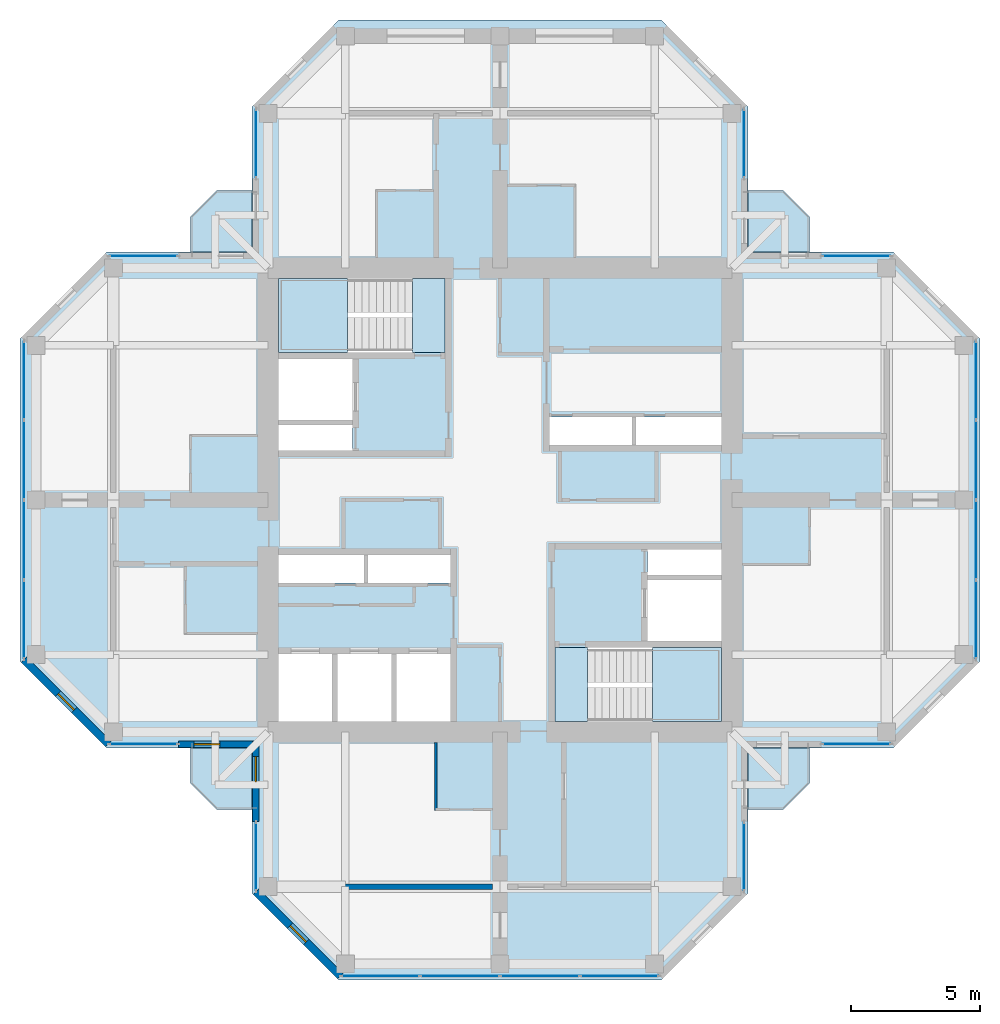
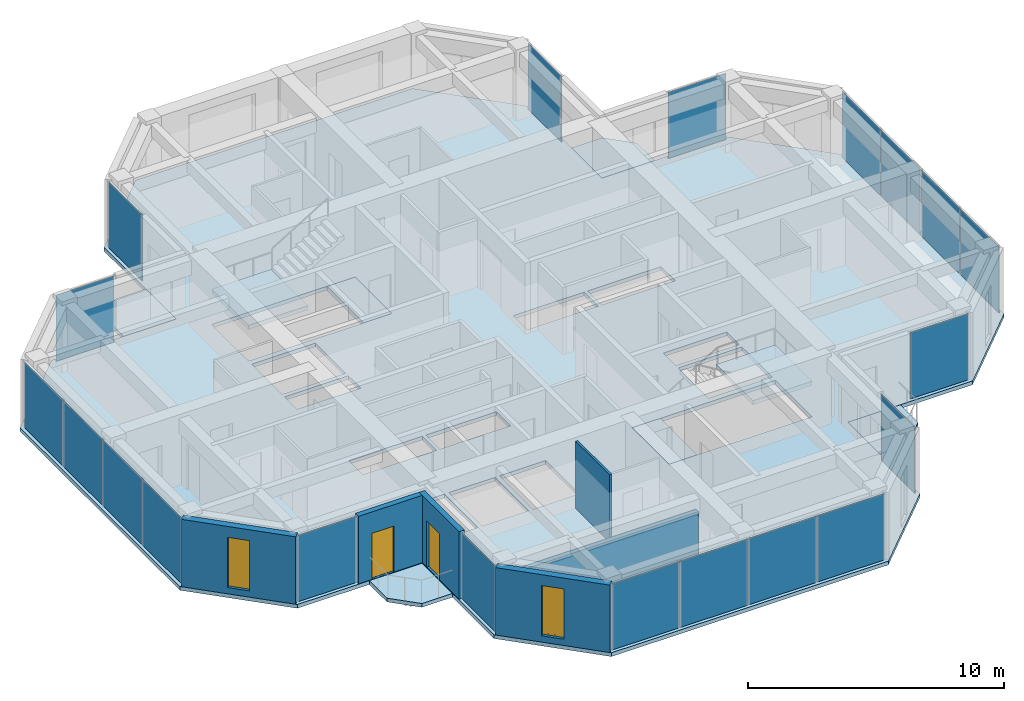
# One storey, part 7 of 13: 20 plates, 9 slabs, 6 walls, 2 doors, 2 windows, 4 openings, 13 elements without a shape of their own.
"""IFC4 building model written with IfcOpenShell, lengths in metres."""

import ifcopenshell
import ifcopenshell.guid

model = None  # the IFC model being written
_history = None  # IfcOwnerHistory: only IFC2X3 demands one
_inside = {}  # id of a spatial element -> (the spatial element, [elements in it])
_under = {}  # id of a project, library or spatial element -> (it, [spatial elements below it])
_declared = {}  # id of a project -> (the project, [libraries it declares])
_typed = {}  # id of a type object -> (the type object, [elements of that type])
_made_of = {}  # id of a material, layer set ... -> (it, [elements and type objects made of it])


def new_model(schema):
    """Start an empty IFC model of exactly this schema.

    Asked for "IFC4X3", IfcOpenShell would pick the latest addendum, in which some entities
    have other attributes; the version numbers below select the first issue.
    IFC2X3 requires an IfcOwnerHistory on every rooted entity: one is made here for all.
    """
    global model, _history
    if schema == "IFC4X3":
        model = ifcopenshell.file(schema_version=(4, 3, 0, 0))
    else:
        model = ifcopenshell.file(schema=schema)
    _inside.clear()
    _under.clear()
    _declared.clear()
    _typed.clear()
    _made_of.clear()
    _history = None
    if model.schema == "IFC2X3":
        org = make("IfcOrganization", Name="unknown")
        user = make(
            "IfcPersonAndOrganization",
            ThePerson=make("IfcPerson", FamilyName="unknown"),
            TheOrganization=org,
        )
        app = make(
            "IfcApplication",
            ApplicationDeveloper=org,
            Version="unknown",
            ApplicationFullName="unknown",
            ApplicationIdentifier="unknown",
        )
        _history = make(
            "IfcOwnerHistory",
            OwningUser=user,
            OwningApplication=app,
            ChangeAction="ADDED",
            CreationDate=0,
        )
    return model


def make(cls, **values):
    """One entity of the class cls with the attributes given. An attribute that is None is left unset."""
    return model.create_entity(
        cls, **{name: value for name, value in values.items() if value is not None}
    )


def rooted(cls, **values):
    """An entity with a GlobalId (a new one), such as an element, a storey or a relation."""
    return make(cls, GlobalId=ifcopenshell.guid.new(), OwnerHistory=_history, **values)


def si_unit(unit_type, name, prefix=None):
    """IfcSIUnit, for example si_unit("LENGTHUNIT", "METRE", prefix="MILLI")."""
    return make("IfcSIUnit", UnitType=unit_type, Prefix=prefix, Name=name)


def assignment(units):
    """IfcUnitAssignment: the units of a project."""
    return None if units is None else make("IfcUnitAssignment", Units=units)


def point(xyz):
    """IfcCartesianPoint."""
    return None if xyz is None else make("IfcCartesianPoint", Coordinates=xyz)


def direction(xyz):
    """IfcDirection."""
    return None if xyz is None else make("IfcDirection", DirectionRatios=xyz)


def frame(location, z_axis=None, x_axis=None):
    """IfcAxis2Placement3D, a coordinate frame: its origin and axes. An axis left out is left unset."""
    return make(
        "IfcAxis2Placement3D",
        Location=point(location),
        Axis=direction(z_axis),
        RefDirection=direction(x_axis),
    )


def frame_2d(location, x_axis=None):
    """IfcAxis2Placement2D, a coordinate frame in the plane: its origin and x axis."""
    return make(
        "IfcAxis2Placement2D", Location=point(location), RefDirection=direction(x_axis)
    )


def origin():
    """The frame at (0, 0, 0) with its axes left unset."""
    return frame((0.0, 0.0, 0.0))


def origin_2d():
    """The frame at (0, 0) in the plane with its x axis left unset."""
    return frame_2d((0.0, 0.0))


def place(relative_to, where):
    """IfcLocalPlacement: puts the frame where relative to a parent placement (None: the world)."""
    return make(
        "IfcLocalPlacement", PlacementRelTo=relative_to, RelativePlacement=where
    )


def context(
    kind, dimensions, precision=None, world=None, true_north=None, identifier=None
):
    """IfcGeometricRepresentationContext, for example the 3D "Model" context."""
    return make(
        "IfcGeometricRepresentationContext",
        ContextIdentifier=identifier,
        ContextType=kind,
        CoordinateSpaceDimension=dimensions,
        Precision=precision,
        WorldCoordinateSystem=world,
        TrueNorth=true_north,
    )


def subcontext(parent, identifier, kind, view, scale=None):
    """IfcGeometricRepresentationSubContext, for example "Body" below "Model"."""
    return make(
        "IfcGeometricRepresentationSubContext",
        ContextIdentifier=identifier,
        ContextType=kind,
        ParentContext=parent,
        TargetScale=scale,
        TargetView=view,
    )


def project(units=None, contexts=None):
    """IfcProject with its units and contexts."""
    return rooted(
        "IfcProject",
        Name="project",
        RepresentationContexts=contexts,
        UnitsInContext=assignment(units),
    )


def spatial(cls, under=None, at=None, **own):
    """A site, building, storey or space (cls), placed at a placement, below another one or the project."""
    s = rooted(cls, ObjectPlacement=at, **own)
    if under is not None:
        _under.setdefault(under.id(), (under, []))[1].append(s)
    return s


def polyline(points):
    """IfcPolyline through the points."""
    return make("IfcPolyline", Points=[point(p) for p in points])


def profile(cls, at=None, kind="AREA", **sizes):
    """A parametric profile (cls). Its sizes go by their IFC names, for example OverallWidth=200.0."""
    return make(cls, ProfileType=kind, Position=at, **sizes)


def rectangle(**sizes):
    """IfcRectangleProfileDef."""
    return profile("IfcRectangleProfileDef", **sizes)


def hollow_rectangle(**sizes):
    """IfcRectangleHollowProfileDef."""
    return profile("IfcRectangleHollowProfileDef", **sizes)


def outline(outer, holes=None, kind="AREA"):
    """IfcArbitraryClosedProfileDef: a profile drawn as a closed curve; with holes, ...WithVoids."""
    if holes is None:
        return make("IfcArbitraryClosedProfileDef", ProfileType=kind, OuterCurve=outer)
    return make(
        "IfcArbitraryProfileDefWithVoids",
        ProfileType=kind,
        OuterCurve=outer,
        InnerCurves=holes,
    )


def extrude(swept, where, along, depth):
    """IfcExtrudedAreaSolid: the profile swept, set in the frame where, extruded along a direction by depth."""
    return make(
        "IfcExtrudedAreaSolid",
        SweptArea=swept,
        Position=where,
        ExtrudedDirection=direction(along),
        Depth=depth,
    )


def shape(context_of_items, identifier, shape_type, items):
    """IfcShapeRepresentation: the items that make up one representation, for example the "Body"."""
    return make(
        "IfcShapeRepresentation",
        ContextOfItems=context_of_items,
        RepresentationIdentifier=identifier,
        RepresentationType=shape_type,
        Items=items,
    )


def material(Name=None, Category=None):
    """IfcMaterial."""
    return make("IfcMaterial", Name=Name, Category=Category)


def layer(
    of_material, thickness, ventilated=None, Name=None, Category=None, Priority=None
):
    """IfcMaterialLayer: one layer of a wall or slab, of a material (None: an air gap)."""
    return make(
        "IfcMaterialLayer",
        Material=of_material,
        LayerThickness=thickness,
        IsVentilated=ventilated,
        Name=Name,
        Category=Category,
        Priority=Priority,
    )


def layer_set(layers, Name=None):
    """IfcMaterialLayerSet."""
    return make("IfcMaterialLayerSet", MaterialLayers=layers, LayerSetName=Name)


def constituent(of_material, Name=None, Category=None, fraction=None):
    """IfcMaterialConstituent: one of the materials an element consists of."""
    return make(
        "IfcMaterialConstituent",
        Name=Name,
        Material=of_material,
        Fraction=fraction,
        Category=Category,
    )


def constituent_set(constituents=None, Name=None):
    """IfcMaterialConstituentSet."""
    return make(
        "IfcMaterialConstituentSet", Name=Name, MaterialConstituents=constituents
    )


def made_of(thing, what):
    """Note that an element or type object is made of a material, layer set ...; save() writes the relation."""
    if what is not None:
        _made_of.setdefault(what.id(), (what, []))[1].append(thing)
    return thing


def type_object(cls, material=None, **own):
    """A type object (cls), such as IfcWallType, which elements share."""
    return made_of(rooted(cls, **own), material)


def element(
    cls,
    number,
    at=None,
    inside=None,
    cuts=None,
    type_object=None,
    material=None,
    context=None,
    identifier="Body",
    shape_type=None,
    held_by="IfcProductDefinitionShape",
    body=None,
    shapes=None,
    **own,
):
    """One element of the class cls, such as IfcWall. Its Tag is "e" and its number.

    at: its placement. inside: the storey or other place that contains it. cuts: it is an
    opening in that element (IfcRelVoidsElement). A single representation is given by context,
    identifier, shape_type and body (its items); several are given by shapes. held_by: the class
    of the entity that holds the representations. save() writes the other relations.
    """
    e = rooted(cls, Tag="e%d" % number, ObjectPlacement=at, **own)
    if body is not None:
        shapes = [shape(context, identifier, shape_type, body)]
    if shapes is not None:
        e.Representation = make(held_by, Representations=shapes)
    if inside is not None:
        _inside.setdefault(inside.id(), (inside, []))[1].append(e)
    if cuts is not None:
        rooted(
            "IfcRelVoidsElement", RelatingBuildingElement=cuts, RelatedOpeningElement=e
        )
    if type_object is not None:
        _typed.setdefault(type_object.id(), (type_object, []))[1].append(e)
    return made_of(e, material)


def fill(opening, filler):
    """IfcRelFillsElement: the door or window that sits in an opening."""
    return rooted(
        "IfcRelFillsElement",
        RelatingOpeningElement=opening,
        RelatedBuildingElement=filler,
    )


def aggregate(whole, parts):
    """IfcRelAggregates: a whole, such as a stair, and the parts it consists of."""
    return rooted("IfcRelAggregates", RelatingObject=whole, RelatedObjects=parts)


def save(model, path):
    """Write the relations noted so far, then the file.

    IfcRelAggregates (storeys below a building ...), IfcRelContainedInSpatialStructure (elements
    in a storey), IfcRelDefinesByType, IfcRelAssociatesMaterial and IfcRelDeclares: one each for
    every whole, place, type object, material and project.
    """
    for whole, parts in _under.values():
        aggregate(whole, parts)
    for where, things in _inside.values():
        rooted(
            "IfcRelContainedInSpatialStructure",
            RelatedElements=things,
            RelatingStructure=where,
        )
    for kind, things in _typed.values():
        rooted("IfcRelDefinesByType", RelatedObjects=things, RelatingType=kind)
    for what, things in _made_of.values():
        rooted("IfcRelAssociatesMaterial", RelatedObjects=things, RelatingMaterial=what)
    for by, libraries in _declared.values():
        rooted("IfcRelDeclares", RelatingContext=by, RelatedDefinitions=libraries)
    model.write(path)


model = new_model("IFC4")

# Units and contexts
model_context = context("Model", 3, precision=1e-05, world=origin(), true_north=direction((0.0, 1.0)))
body_context = subcontext(model_context, "Body", "Model", "MODEL_VIEW")
ifc_project = project(units=[si_unit("LENGTHUNIT", "METRE"), si_unit("AREAUNIT", "SQUARE_METRE"), si_unit("VOLUMEUNIT", "CUBIC_METRE"), si_unit("PLANEANGLEUNIT", "RADIAN"), si_unit("MASSUNIT", "GRAM", prefix="KILO")], contexts=[model_context])

# Site, building, storey
site_placement = place(None, origin())
site = spatial("IfcSite", under=ifc_project, at=site_placement, CompositionType="ELEMENT")
building_placement = place(site_placement, origin())
building = spatial("IfcBuilding", under=site, at=building_placement, Name="Torre Cruceta", CompositionType="ELEMENT")
storey_placement = place(building_placement, frame((0.0, 0.0, 267.89990234375)))
storey = spatial("IfcBuildingStorey", under=building, at=storey_placement, Name="L69", CompositionType="ELEMENT", Elevation=267.89990234375)

# Slabs
ifc_material_1 = material(Name="Concrete G35 (fck 35 MPa)", Category="concrete")
ifc_layer_1 = layer(ifc_material_1, 0.179931640625)
ifc_layer_set_1 = layer_set([ifc_layer_1], Name="Concrete G35 (fck 35 MPa)")
slab_type_1 = type_object("IfcSlabType", Name="BALCONY SLAB 180", PredefinedType="USERDEFINED", material=ifc_layer_set_1)
slab_1_placement = place(storey_placement, frame((0.0, 0.0, -0.179931640625)))
element("IfcSlab", 1, at=slab_1_placement, inside=storey, type_object=slab_type_1, Name="Balcony slab L69 N", ObjectType="BALCONY", PredefinedType="USERDEFINED", context=body_context, shape_type="SweptSolid", body=[
    extrude(outline(polyline([(-12.0, 11.0), (-11.0, 12.0), (-9.6201171875, 12.0), (-9.6201171875, 9.6201171875), (-12.0, 9.6201171875), (-12.0, 11.0)])), origin(), (0.0, 0.0, 1.0), 0.179931640625),
])
slab_2_placement = place(storey_placement, frame((0.0, 0.0, -0.179931640625)))
element("IfcSlab", 2, at=slab_2_placement, inside=storey, type_object=slab_type_1, Name="Balcony slab L69 E", ObjectType="BALCONY", PredefinedType="USERDEFINED", context=body_context, shape_type="SweptSolid", body=[
    extrude(outline(polyline([(11.0, 12.0), (12.0, 11.0), (12.0, 9.6201171875), (9.6201171875, 9.6201171875), (9.6201171875, 12.0), (11.0, 12.0)])), origin(), (0.0, 0.0, 1.0), 0.179931640625),
])
slab_3_placement = place(storey_placement, frame((0.0, 0.0, -0.179931640625)))
element("IfcSlab", 3, at=slab_3_placement, inside=storey, type_object=slab_type_1, Name="Balcony slab L69 S", ObjectType="BALCONY", PredefinedType="USERDEFINED", context=body_context, shape_type="SweptSolid", body=[
    extrude(outline(polyline([(12.0, -11.0), (11.0, -12.0), (9.6201171875, -12.0), (9.6201171875, -9.6201171875), (12.0, -9.6201171875), (12.0, -11.0)])), origin(), (0.0, 0.0, 1.0), 0.179931640625),
])
slab_4_placement = place(storey_placement, frame((0.0, 0.0, -0.179931640625)))
element("IfcSlab", 4, at=slab_4_placement, inside=storey, type_object=slab_type_1, Name="Balcony slab L69 W", ObjectType="BALCONY", PredefinedType="USERDEFINED", context=body_context, shape_type="SweptSolid", body=[
    extrude(outline(polyline([(-11.0, -12.0), (-12.0, -11.0), (-12.0, -9.6201171875), (-9.6201171875, -9.6201171875), (-9.6201171875, -12.0), (-11.0, -12.0)])), origin(), (0.0, 0.0, 1.0), 0.179931640625),
])

# Curtain wall, plate
ifc_material_2 = material(Name="Aluminium unitised curtain wall", Category="aluminium")
curtain_wall_type = type_object("IfcCurtainWallType", Name="CURTAIN WALL CW-E CO-LIVING TOP", PredefinedType="USERDEFINED", material=ifc_material_2)
curtain_wall_1_placement = place(storey_placement, origin())
curtain_wall_1 = element("IfcCurtainWall", 5, at=curtain_wall_1_placement, inside=storey, type_object=curtain_wall_type, Name="CW-E L69 E tip 02", ObjectType="UNITISED", PredefinedType="USERDEFINED")
ifc_material_3 = material(Name="Laminated insulating glass unit, diagonal frit 50 %", Category="glass")
ifc_material_4 = material(Name="Laminated insulating glass unit, diagonal frit 50 %", Category="glass")
ifc_layer_2 = layer(ifc_material_4, 0.028076171875)
ifc_layer_set_2 = layer_set([ifc_layer_2], Name="Laminated insulating glass unit, diagonal frit 50 %")
plate_type_1 = type_object("IfcPlateType", Name="CW-E OPERABLE VENT PANEL 28", PredefinedType="CURTAIN_PANEL", material=ifc_layer_set_2)
plate_1_placement = place(storey_placement, frame((18.469970703125, -1.548583984375, 0.01025390625), z_axis=(0.0, 0.0, 1.0), x_axis=(0.0, 1.0, 0.0)))
plate_1 = element("IfcPlate", 6, at=plate_1_placement, type_object=plate_type_1, material=ifc_material_3, Name="CW-E vent 2", PredefinedType="CURTAIN_PANEL", context=body_context, shape_type="SweptSolid", body=[
    extrude(rectangle(XDim=3.042236328125, YDim=0.028076171875, at=origin_2d()), origin(), (0.0, 0.0, 1.0), 3.155029296875),
])

curtain_wall_2_placement = place(storey_placement, origin())
curtain_wall_2 = element("IfcCurtainWall", 7, at=curtain_wall_2_placement, inside=storey, type_object=curtain_wall_type, Name="CW-E L69 W tip 12", ObjectType="UNITISED", PredefinedType="USERDEFINED")
plate_2_placement = place(storey_placement, frame((-18.469970703125, 1.548583984375, 0.01025390625), z_axis=(0.0, 0.0, 1.0), x_axis=(0.0, -1.0, 0.0)))
plate_2 = element("IfcPlate", 8, at=plate_2_placement, type_object=plate_type_1, material=ifc_material_3, Name="CW-E vent 2", PredefinedType="CURTAIN_PANEL", context=body_context, shape_type="SweptSolid", body=[
    extrude(rectangle(XDim=3.042236328125, YDim=0.028076171875, at=origin_2d()), origin(), (0.0, 0.0, 1.0), 3.155029296875),
])

curtain_wall_3_placement = place(storey_placement, origin())
curtain_wall_3 = element("IfcCurtainWall", 9, at=curtain_wall_3_placement, inside=storey, type_object=curtain_wall_type, Name="CW-E L69 S tip 17", ObjectType="UNITISED", PredefinedType="USERDEFINED")
plate_3_placement = place(storey_placement, frame((-1.548583984375, -18.469970703125, 0.01025390625), z_axis=(0.0, 0.0, 1.0), x_axis=(1.0, 0.0, 0.0)))
plate_3 = element("IfcPlate", 10, at=plate_3_placement, type_object=plate_type_1, material=ifc_material_3, Name="CW-E vent 2", PredefinedType="CURTAIN_PANEL", context=body_context, shape_type="SweptSolid", body=[
    extrude(rectangle(XDim=3.042236328125, YDim=0.028076171875, at=origin_2d()), origin(), (0.0, 0.0, 1.0), 3.155029296875),
])

curtain_wall_4_placement = place(storey_placement, origin())
curtain_wall_4 = element("IfcCurtainWall", 11, at=curtain_wall_4_placement, inside=storey, type_object=curtain_wall_type, Name="CW-E L69 E side 00", ObjectType="UNITISED", PredefinedType="USERDEFINED")
ifc_material_5 = material(Name="Laminated insulating glass unit, diagonal frit 50 %", Category="glass")
ifc_layer_3 = layer(ifc_material_5, 0.028076171875)
ifc_layer_set_3 = layer_set([ifc_layer_3], Name="Laminated insulating glass unit, diagonal frit 50 %")
plate_type_2 = type_object("IfcPlateType", Name="CW-E PANEL 28", PredefinedType="CURTAIN_PANEL", material=ifc_layer_set_3)
plate_4_placement = place(storey_placement, frame((13.832275390625, -9.469970703125, 0.01025390625), z_axis=(0.0, 0.0, 1.0), x_axis=(1.0, 0.0, 0.0)))
plate_4 = element("IfcPlate", 12, at=plate_4_placement, type_object=plate_type_2, material=ifc_material_3, Name="CW-E panel 1", PredefinedType="CURTAIN_PANEL", context=body_context, shape_type="SweptSolid", body=[
    extrude(rectangle(XDim=2.61474609375, YDim=0.028076171875, at=origin_2d()), origin(), (0.0, 0.0, 1.0), 3.155029296875),
])
aggregate(curtain_wall_4, [plate_4])

# Plate
plate_5_placement = place(storey_placement, frame((18.469970703125, -4.63232421875, 0.01025390625), z_axis=(0.0, 0.0, 1.0), x_axis=(0.0, 1.0, 0.0)))
plate_5 = element("IfcPlate", 13, at=plate_5_placement, type_object=plate_type_2, material=ifc_material_3, Name="CW-E panel 1", PredefinedType="CURTAIN_PANEL", context=body_context, shape_type="SweptSolid", body=[
    extrude(rectangle(XDim=3.014892578125, YDim=0.028076171875, at=origin_2d()), origin(), (0.0, 0.0, 1.0), 3.155029296875),
])

plate_6_placement = place(storey_placement, frame((18.469970703125, 1.548583984375, 0.01025390625), z_axis=(0.0, 0.0, 1.0), x_axis=(0.0, 1.0, 0.0)))
plate_6 = element("IfcPlate", 14, at=plate_6_placement, type_object=plate_type_2, material=ifc_material_3, Name="CW-E panel 3", PredefinedType="CURTAIN_PANEL", context=body_context, shape_type="SweptSolid", body=[
    extrude(rectangle(XDim=3.042236328125, YDim=0.028076171875, at=origin_2d()), origin(), (0.0, 0.0, 1.0), 3.155029296875),
])

ifc_material_6 = material(Name="Laminated insulating glass unit, low-iron clear", Category="glass")
plate_7_placement = place(storey_placement, frame((18.469970703125, 4.63232421875, 0.01025390625), z_axis=(0.0, 0.0, 1.0), x_axis=(0.0, 1.0, 0.0)))
plate_7 = element("IfcPlate", 15, at=plate_7_placement, type_object=plate_type_2, material=ifc_material_6, Name="CW-E panel 4", PredefinedType="CURTAIN_PANEL", context=body_context, shape_type="SweptSolid", body=[
    extrude(rectangle(XDim=3.014892578125, YDim=0.028076171875, at=origin_2d()), origin(), (0.0, 0.0, 1.0), 3.155029296875),
])

aggregate(curtain_wall_1, [plate_5, plate_1, plate_6, plate_7])

# Curtain wall, plate
curtain_wall_5_placement = place(storey_placement, origin())
curtain_wall_5 = element("IfcCurtainWall", 16, at=curtain_wall_5_placement, inside=storey, type_object=curtain_wall_type, Name="CW-E L69 E side 04", ObjectType="UNITISED", PredefinedType="USERDEFINED")
plate_8_placement = place(storey_placement, frame((13.832275390625, 9.469970703125, 0.01025390625), z_axis=(0.0, 0.0, 1.0), x_axis=(-1.0, 0.0, 0.0)))
plate_8 = element("IfcPlate", 17, at=plate_8_placement, type_object=plate_type_2, material=ifc_material_3, Name="CW-E panel 1", PredefinedType="CURTAIN_PANEL", context=body_context, shape_type="SweptSolid", body=[
    extrude(rectangle(XDim=2.61474609375, YDim=0.028076171875, at=origin_2d()), origin(), (0.0, 0.0, 1.0), 3.155029296875),
])
aggregate(curtain_wall_5, [plate_8])

curtain_wall_6_placement = place(storey_placement, origin())
curtain_wall_6 = element("IfcCurtainWall", 18, at=curtain_wall_6_placement, inside=storey, type_object=curtain_wall_type, Name="CW-E L69 N side 05", ObjectType="UNITISED", PredefinedType="USERDEFINED")
plate_9_placement = place(storey_placement, frame((9.469970703125, 13.832275390625, 0.01025390625), z_axis=(0.0, 0.0, 1.0), x_axis=(0.0, 1.0, 0.0)))
plate_9 = element("IfcPlate", 19, at=plate_9_placement, type_object=plate_type_2, material=ifc_material_3, Name="CW-E panel 1", PredefinedType="CURTAIN_PANEL", context=body_context, shape_type="SweptSolid", body=[
    extrude(rectangle(XDim=2.61474609375, YDim=0.028076171875, at=origin_2d()), origin(), (0.0, 0.0, 1.0), 3.155029296875),
])
aggregate(curtain_wall_6, [plate_9])

curtain_wall_7_placement = place(storey_placement, origin())
curtain_wall_7 = element("IfcCurtainWall", 20, at=curtain_wall_7_placement, inside=storey, type_object=curtain_wall_type, Name="CW-E L69 N side 09", ObjectType="UNITISED", PredefinedType="USERDEFINED")
plate_10_placement = place(storey_placement, frame((-9.469970703125, 13.832275390625, 0.01025390625), z_axis=(0.0, 0.0, 1.0), x_axis=(0.0, -1.0, 0.0)))
plate_10 = element("IfcPlate", 21, at=plate_10_placement, type_object=plate_type_2, material=ifc_material_3, Name="CW-E panel 1", PredefinedType="CURTAIN_PANEL", context=body_context, shape_type="SweptSolid", body=[
    extrude(rectangle(XDim=2.61474609375, YDim=0.028076171875, at=origin_2d()), origin(), (0.0, 0.0, 1.0), 3.155029296875),
])
aggregate(curtain_wall_7, [plate_10])

curtain_wall_8_placement = place(storey_placement, origin())
curtain_wall_8 = element("IfcCurtainWall", 22, at=curtain_wall_8_placement, inside=storey, type_object=curtain_wall_type, Name="CW-E L69 W side 10", ObjectType="UNITISED", PredefinedType="USERDEFINED")
plate_11_placement = place(storey_placement, frame((-13.832275390625, 9.469970703125, 0.01025390625), z_axis=(0.0, 0.0, 1.0), x_axis=(-1.0, 0.0, 0.0)))
plate_11 = element("IfcPlate", 23, at=plate_11_placement, type_object=plate_type_2, material=ifc_material_3, Name="CW-E panel 1", PredefinedType="CURTAIN_PANEL", context=body_context, shape_type="SweptSolid", body=[
    extrude(rectangle(XDim=2.61474609375, YDim=0.028076171875, at=origin_2d()), origin(), (0.0, 0.0, 1.0), 3.155029296875),
])
aggregate(curtain_wall_8, [plate_11])

# Plate
plate_12_placement = place(storey_placement, frame((-18.469970703125, 4.63232421875, 0.01025390625), z_axis=(0.0, 0.0, 1.0), x_axis=(0.0, -1.0, 0.0)))
plate_12 = element("IfcPlate", 24, at=plate_12_placement, type_object=plate_type_2, material=ifc_material_3, Name="CW-E panel 1", PredefinedType="CURTAIN_PANEL", context=body_context, shape_type="SweptSolid", body=[
    extrude(rectangle(XDim=3.014892578125, YDim=0.028076171875, at=origin_2d()), origin(), (0.0, 0.0, 1.0), 3.155029296875),
])

plate_13_placement = place(storey_placement, frame((-18.469970703125, -1.548583984375, 0.01025390625), z_axis=(0.0, 0.0, 1.0), x_axis=(0.0, -1.0, 0.0)))
plate_13 = element("IfcPlate", 25, at=plate_13_placement, type_object=plate_type_2, material=ifc_material_3, Name="CW-E panel 3", PredefinedType="CURTAIN_PANEL", context=body_context, shape_type="SweptSolid", body=[
    extrude(rectangle(XDim=3.042236328125, YDim=0.028076171875, at=origin_2d()), origin(), (0.0, 0.0, 1.0), 3.155029296875),
])

plate_14_placement = place(storey_placement, frame((-18.469970703125, -4.63232421875, 0.01025390625), z_axis=(0.0, 0.0, 1.0), x_axis=(0.0, -1.0, 0.0)))
plate_14 = element("IfcPlate", 26, at=plate_14_placement, type_object=plate_type_2, material=ifc_material_6, Name="CW-E panel 4", PredefinedType="CURTAIN_PANEL", context=body_context, shape_type="SweptSolid", body=[
    extrude(rectangle(XDim=3.014892578125, YDim=0.028076171875, at=origin_2d()), origin(), (0.0, 0.0, 1.0), 3.155029296875),
])

aggregate(curtain_wall_2, [plate_12, plate_2, plate_13, plate_14])

# Curtain wall, plate
curtain_wall_9_placement = place(storey_placement, origin())
curtain_wall_9 = element("IfcCurtainWall", 27, at=curtain_wall_9_placement, inside=storey, type_object=curtain_wall_type, Name="CW-E L69 W side 14", ObjectType="UNITISED", PredefinedType="USERDEFINED")
plate_15_placement = place(storey_placement, frame((-13.832275390625, -9.469970703125, 0.01025390625), z_axis=(0.0, 0.0, 1.0), x_axis=(1.0, 0.0, 0.0)))
plate_15 = element("IfcPlate", 28, at=plate_15_placement, type_object=plate_type_2, material=ifc_material_3, Name="CW-E panel 1", PredefinedType="CURTAIN_PANEL", context=body_context, shape_type="SweptSolid", body=[
    extrude(rectangle(XDim=2.61474609375, YDim=0.028076171875, at=origin_2d()), origin(), (0.0, 0.0, 1.0), 3.155029296875),
])
aggregate(curtain_wall_9, [plate_15])

curtain_wall_10_placement = place(storey_placement, origin())
curtain_wall_10 = element("IfcCurtainWall", 29, at=curtain_wall_10_placement, inside=storey, type_object=curtain_wall_type, Name="CW-E L69 S side 15", ObjectType="UNITISED", PredefinedType="USERDEFINED")
plate_16_placement = place(storey_placement, frame((-9.469970703125, -13.832275390625, 0.01025390625), z_axis=(0.0, 0.0, 1.0), x_axis=(0.0, -1.0, 0.0)))
plate_16 = element("IfcPlate", 30, at=plate_16_placement, type_object=plate_type_2, material=ifc_material_3, Name="CW-E panel 1", PredefinedType="CURTAIN_PANEL", context=body_context, shape_type="SweptSolid", body=[
    extrude(rectangle(XDim=2.61474609375, YDim=0.028076171875, at=origin_2d()), origin(), (0.0, 0.0, 1.0), 3.155029296875),
])
aggregate(curtain_wall_10, [plate_16])

# Plate
plate_17_placement = place(storey_placement, frame((-4.63232421875, -18.469970703125, 0.01025390625), z_axis=(0.0, 0.0, 1.0), x_axis=(1.0, 0.0, 0.0)))
plate_17 = element("IfcPlate", 31, at=plate_17_placement, type_object=plate_type_2, material=ifc_material_3, Name="CW-E panel 1", PredefinedType="CURTAIN_PANEL", context=body_context, shape_type="SweptSolid", body=[
    extrude(rectangle(XDim=3.014892578125, YDim=0.028076171875, at=origin_2d()), origin(), (0.0, 0.0, 1.0), 3.155029296875),
])

plate_18_placement = place(storey_placement, frame((1.548583984375, -18.469970703125, 0.01025390625), z_axis=(0.0, 0.0, 1.0), x_axis=(1.0, 0.0, 0.0)))
plate_18 = element("IfcPlate", 32, at=plate_18_placement, type_object=plate_type_2, material=ifc_material_3, Name="CW-E panel 3", PredefinedType="CURTAIN_PANEL", context=body_context, shape_type="SweptSolid", body=[
    extrude(rectangle(XDim=3.042236328125, YDim=0.028076171875, at=origin_2d()), origin(), (0.0, 0.0, 1.0), 3.155029296875),
])

plate_19_placement = place(storey_placement, frame((4.63232421875, -18.469970703125, 0.01025390625), z_axis=(0.0, 0.0, 1.0), x_axis=(1.0, 0.0, 0.0)))
plate_19 = element("IfcPlate", 33, at=plate_19_placement, type_object=plate_type_2, material=ifc_material_6, Name="CW-E panel 4", PredefinedType="CURTAIN_PANEL", context=body_context, shape_type="SweptSolid", body=[
    extrude(rectangle(XDim=3.014892578125, YDim=0.028076171875, at=origin_2d()), origin(), (0.0, 0.0, 1.0), 3.155029296875),
])

aggregate(curtain_wall_3, [plate_17, plate_3, plate_18, plate_19])

# Curtain wall, plate
curtain_wall_11_placement = place(storey_placement, origin())
curtain_wall_11 = element("IfcCurtainWall", 34, at=curtain_wall_11_placement, inside=storey, type_object=curtain_wall_type, Name="CW-E L69 S side 19", ObjectType="UNITISED", PredefinedType="USERDEFINED")
plate_20_placement = place(storey_placement, frame((9.469970703125, -13.832275390625, 0.01025390625), z_axis=(0.0, 0.0, 1.0), x_axis=(0.0, 1.0, 0.0)))
plate_20 = element("IfcPlate", 35, at=plate_20_placement, type_object=plate_type_2, material=ifc_material_3, Name="CW-E panel 1", PredefinedType="CURTAIN_PANEL", context=body_context, shape_type="SweptSolid", body=[
    extrude(rectangle(XDim=2.61474609375, YDim=0.028076171875, at=origin_2d()), origin(), (0.0, 0.0, 1.0), 3.155029296875),
])
aggregate(curtain_wall_11, [plate_20])

# Slab
ifc_material_7 = material(Name="Concrete G35 (fck 35 MPa)", Category="concrete")
ifc_layer_4 = layer(ifc_material_7, 0.179931640625)
ifc_layer_set_4 = layer_set([ifc_layer_4], Name="Concrete G35 (fck 35 MPa)")
slab_type_2 = type_object("IfcSlabType", Name="FLOOR SLAB 180", PredefinedType="FLOOR", material=ifc_layer_set_4)
slab_5_placement = place(storey_placement, frame((0.0, 0.0, -0.179931640625)))
element("IfcSlab", 36, at=slab_5_placement, inside=storey, type_object=slab_type_2, Name="Floor Slab L69", PredefinedType="FLOOR", context=body_context, shape_type="SweptSolid", body=[
    extrude(outline(polyline([(9.6201171875, -9.6201171875), (9.6201171875, -15.2568359375), (6.2568359375, -18.6201171875), (-6.2568359375, -18.6201171875), (-9.6201171875, -15.2568359375), (-9.6201171875, -9.6201171875), (-15.2568359375, -9.6201171875), (-18.6201171875, -6.2568359375), (-18.6201171875, 6.2568359375), (-15.2568359375, 9.6201171875), (-9.6201171875, 9.6201171875), (-9.6201171875, 15.2568359375), (-6.2568359375, 18.6201171875), (6.2568359375, 18.6201171875), (9.6201171875, 15.2568359375), (9.6201171875, 9.6201171875), (15.2568359375, 9.6201171875), (18.6201171875, 6.2568359375), (18.6201171875, -6.2568359375), (15.2568359375, -9.6201171875), (9.6201171875, -9.6201171875)]), holes=[polyline([(1.925048828125, 2.125), (5.125, 2.125), (5.125, 3.22509765625), (1.925048828125, 3.22509765625), (1.925048828125, 2.125)]), polyline([(5.27490234375, 2.125), (8.60009765625, 2.125), (8.60009765625, 3.22509765625), (5.27490234375, 3.22509765625), (5.27490234375, 2.125)]), polyline([(-8.60009765625, 3.10009765625), (-5.72509765625, 3.10009765625), (-5.72509765625, 5.47509765625), (-8.60009765625, 5.47509765625), (-8.60009765625, 3.10009765625)]), polyline([(-8.60009765625, 1.925048828125), (-5.72509765625, 1.925048828125), (-5.72509765625, 2.89990234375), (-8.60009765625, 2.89990234375), (-8.60009765625, 1.925048828125)]), polyline([(-4.0166015625, -8.60009765625), (-1.925048828125, -8.60009765625), (-1.925048828125, -5.97509765625), (-4.0166015625, -5.97509765625), (-4.0166015625, -8.60009765625)]), polyline([(-6.308349609375, -8.60009765625), (-4.216552734375, -8.60009765625), (-4.216552734375, -5.97509765625), (-6.308349609375, -5.97509765625), (-6.308349609375, -8.60009765625)]), polyline([(-8.60009765625, -8.60009765625), (-6.50830078125, -8.60009765625), (-6.50830078125, -5.97509765625), (-8.60009765625, -5.97509765625), (-8.60009765625, -8.60009765625)]), polyline([(-5.125, -3.22509765625), (-1.925048828125, -3.22509765625), (-1.925048828125, -2.125), (-5.125, -2.125), (-5.125, -3.22509765625)]), polyline([(-8.60009765625, -3.22509765625), (-5.27490234375, -3.22509765625), (-5.27490234375, -2.125), (-8.60009765625, -2.125), (-8.60009765625, -3.22509765625)]), polyline([(5.72509765625, -5.47509765625), (8.60009765625, -5.47509765625), (8.60009765625, -3.10009765625), (5.72509765625, -3.10009765625), (5.72509765625, -5.47509765625)]), polyline([(5.72509765625, -2.89990234375), (8.60009765625, -2.89990234375), (8.60009765625, -1.925048828125), (5.72509765625, -1.925048828125), (5.72509765625, -2.89990234375)]), polyline([(-8.60009765625, 5.72509765625), (-8.60009765625, 8.60009765625), (-3.39990234375, 8.60009765625), (-2.125, 8.60009765625), (-2.125, 5.72509765625), (-3.39990234375, 5.72509765625), (-8.60009765625, 5.72509765625)]), polyline([(2.125, -5.72509765625), (3.39990234375, -5.72509765625), (8.60009765625, -5.72509765625), (8.60009765625, -8.60009765625), (3.39990234375, -8.60009765625), (2.125, -8.60009765625), (2.125, -5.72509765625)])]), origin(), (0.0, 0.0, 1.0), 0.179931640625),
])

# Stair, slab
ifc_material_8 = material(Name="Concrete G30 (fck 30 MPa)", Category="concrete")
stair_type = type_object("IfcStairType", Name="STAIR HALF-TURN 1300", PredefinedType="HALF_TURN_STAIR", material=ifc_material_8)
stair_1_placement = place(storey_placement, origin())
stair_1 = element("IfcStair", 37, at=stair_1_placement, inside=storey, type_object=stair_type, Name="Stair ST1 L69", PredefinedType="HALF_TURN_STAIR")
ifc_material_9 = material(Name="Concrete G30 (fck 30 MPa)", Category="concrete")
ifc_layer_5 = layer(ifc_material_9, 0.199951171875)
ifc_layer_set_5 = layer_set([ifc_layer_5], Name="Concrete G30 (fck 30 MPa)")
slab_type_3 = type_object("IfcSlabType", Name="STAIR LANDING 200", PredefinedType="LANDING", material=ifc_layer_set_5)
slab_6_placement = place(storey_placement, frame((0.0, 0.0, 1.5)))
slab_6 = element("IfcSlab", 38, at=slab_6_placement, type_object=slab_type_3, Name="ST1 landing 1", PredefinedType="LANDING", context=body_context, shape_type="SweptSolid", body=[
    extrude(outline(polyline([(-8.60009765625, 5.72509765625), (-5.919921875, 5.72509765625), (-5.919921875, 8.60009765625), (-8.60009765625, 8.60009765625), (-8.60009765625, 5.72509765625)])), origin(), (0.0, 0.0, 1.0), 0.2001953125),
])
aggregate(stair_1, [slab_6])

stair_2_placement = place(storey_placement, origin())
stair_2 = element("IfcStair", 39, at=stair_2_placement, inside=storey, type_object=stair_type, Name="Stair ST2 L69", PredefinedType="HALF_TURN_STAIR")
slab_7_placement = place(storey_placement, frame((0.0, 0.0, 1.5)))
slab_7 = element("IfcSlab", 40, at=slab_7_placement, type_object=slab_type_3, Name="ST2 landing 1", PredefinedType="LANDING", context=body_context, shape_type="SweptSolid", body=[
    extrude(outline(polyline([(5.919921875, -8.60009765625), (8.60009765625, -8.60009765625), (8.60009765625, -5.72509765625), (5.919921875, -5.72509765625), (5.919921875, -8.60009765625)])), origin(), (0.0, 0.0, 1.0), 0.2001953125),
])
aggregate(stair_2, [slab_7])

# Slabs
slab_8_placement = place(storey_placement, frame((0.0, 0.0, -0.199951171875)))
element("IfcSlab", 41, at=slab_8_placement, inside=storey, type_object=slab_type_3, Name="Stair ST1 floor landing L69", PredefinedType="LANDING", context=body_context, shape_type="SweptSolid", body=[
    extrude(outline(polyline([(-2.125, 8.60009765625), (-2.125, 5.72509765625), (-3.39990234375, 5.72509765625), (-3.39990234375, 8.60009765625), (-2.125, 8.60009765625)])), origin(), (0.0, 0.0, 1.0), 0.199951171875),
])
slab_9_placement = place(storey_placement, frame((0.0, 0.0, -0.199951171875)))
element("IfcSlab", 42, at=slab_9_placement, inside=storey, type_object=slab_type_3, Name="Stair ST2 floor landing L69", PredefinedType="LANDING", context=body_context, shape_type="SweptSolid", body=[
    extrude(outline(polyline([(2.125, -8.60009765625), (2.125, -5.72509765625), (3.39990234375, -5.72509765625), (3.39990234375, -8.60009765625), (2.125, -8.60009765625)])), origin(), (0.0, 0.0, 1.0), 0.199951171875),
])

# Wall
ifc_material_10 = material(Name="Water-resistant plasterboard on steel studs", Category="steel")
ifc_layer_6 = layer(ifc_material_10, 0.10009765625)
ifc_layer_set_6 = layer_set([ifc_layer_6], Name="Water-resistant plasterboard on steel studs")
wall_type_1 = type_object("IfcWallType", Name="BATHROOM WALL 100", PredefinedType="PARTITIONING", material=ifc_layer_set_6)
wall_1_placement = place(storey_placement, frame((-2.5, -9.39990234375, 0.0), z_axis=(0.0, 0.0, 1.0), x_axis=(0.0, -1.0, 0.0)))
element("IfcWall", 43, at=wall_1_placement, inside=storey, type_object=wall_type_1, Name="PT4 L69-S-U1RBB", PredefinedType="PARTITIONING", context=body_context, shape_type="SweptSolid", body=[
    extrude(rectangle(XDim=2.650146484375, YDim=0.10009765625, at=frame_2d((1.3251953125, 0.0))), origin(), (0.0, 0.0, 1.0), 3.22021484375),
])

# Wall, opening, window
ifc_material_11 = material(Name="Concrete G30 (fck 30 MPa)", Category="concrete")
ifc_layer_7 = layer(ifc_material_11, 0.300048828125)
ifc_layer_set_7 = layer_set([ifc_layer_7], Name="Concrete G30 (fck 30 MPa)")
wall_type_2 = type_object("IfcWallType", Name="EXPOSED CONCRETE FACADE WALL 300", PredefinedType="SOLIDWALL", material=ifc_layer_set_7)
wall_2_placement = place(storey_placement, frame((-18.469970703125, -6.194580078125, 0.0), z_axis=(0.0, 0.0, 1.0), x_axis=(0.707106781187, -0.707106781187, 0.0)))
wall_2 = element("IfcWall", 44, at=wall_2_placement, inside=storey, type_object=wall_type_2, Name="EW1 facade wall L69 W chamfer 13", PredefinedType="SOLIDWALL", context=body_context, shape_type="SweptSolid", body=[
    extrude(rectangle(XDim=4.632080078125, YDim=0.300048828125, at=frame_2d((2.31591796875, 0.0))), origin(), (0.0, 0.0, 1.0), 3.22021484375),
])
opening_1_placement = place(wall_2_placement, frame((1.865966796875, 0.0, 0.300048828125)))
opening_1 = element("IfcOpeningElement", 45, at=opening_1_placement, cuts=wall_2, Name="Opening WN5", PredefinedType="OPENING", context=body_context, shape_type="SweptSolid", body=[
    extrude(rectangle(XDim=0.89990234375, YDim=2.39990234375, at=frame_2d((0.449951171875, 1.199951171875))), frame((0.0, 0.159912109375, 0.0), z_axis=(0.0, -1.0, 0.0), x_axis=(1.0, 0.0, 0.0)), (0.0, 0.0, 1.0), 0.320068359375),
])
ifc_material_12 = material(Name="Aluminium window frame", Category="aluminium")
ifc_constituent_1 = constituent(ifc_material_12, Name="Frame")
ifc_material_13 = material(Name="Laminated insulating glass unit, low-iron clear", Category="glass")
ifc_constituent_2 = constituent(ifc_material_13, Name="Glazing")
ifc_constituent_set_1 = constituent_set(constituents=[ifc_constituent_1, ifc_constituent_2], Name="Aluminium window")
window_type = type_object("IfcWindowType", Name="CHAMFER SLOT WINDOW 900X2400", PartitioningType="SINGLE_PANEL", PredefinedType="WINDOW", material=ifc_constituent_set_1)
window_1_placement = place(opening_1_placement, origin())
window_1 = element("IfcWindow", 46, at=window_1_placement, inside=storey, type_object=window_type, Name="WN5 L69 W 1", OverallHeight=2.39990234375, OverallWidth=0.89990234375, PartitioningType="SINGLE_PANEL", PredefinedType="WINDOW", context=body_context, shape_type="SweptSolid", body=[
    extrude(hollow_rectangle(XDim=0.89990234375, YDim=2.39990234375, WallThickness=0.06005859375, at=frame_2d((0.449951171875, 1.199951171875))), frame((0.0, 0.030029296875, 0.0), z_axis=(0.0, -1.0, 0.0), x_axis=(1.0, 0.0, 0.0)), (0.0, 0.0, 1.0), 0.06005859375),
    extrude(rectangle(XDim=0.77880859375, YDim=2.27880859375, at=frame_2d((0.449951171875, 1.199951171875))), frame((0.0, 0.030029296875, 0.0), z_axis=(0.0, -1.0, 0.0), x_axis=(1.0, 0.0, 0.0)), (0.0, 0.0, 1.0), 0.06005859375),
])
fill(opening_1, window_1)

wall_3_placement = place(storey_placement, frame((-9.469970703125, -15.194580078125, 0.0), z_axis=(0.0, 0.0, 1.0), x_axis=(0.707106781187, -0.707106781187, 0.0)))
wall_3 = element("IfcWall", 47, at=wall_3_placement, inside=storey, type_object=wall_type_2, Name="EW1 facade wall L69 S chamfer 16", PredefinedType="SOLIDWALL", context=body_context, shape_type="SweptSolid", body=[
    extrude(rectangle(XDim=4.632080078125, YDim=0.300048828125, at=frame_2d((2.31591796875, 0.0))), origin(), (0.0, 0.0, 1.0), 3.22021484375),
])
opening_2_placement = place(wall_3_placement, frame((1.865966796875, 0.0, 0.300048828125)))
opening_2 = element("IfcOpeningElement", 48, at=opening_2_placement, cuts=wall_3, Name="Opening WN5", PredefinedType="OPENING", context=body_context, shape_type="SweptSolid", body=[
    extrude(rectangle(XDim=0.89990234375, YDim=2.39990234375, at=frame_2d((0.449951171875, 1.199951171875))), frame((0.0, 0.159912109375, 0.0), z_axis=(0.0, -1.0, 0.0), x_axis=(1.0, 0.0, 0.0)), (0.0, 0.0, 1.0), 0.320068359375),
])
window_2_placement = place(opening_2_placement, origin())
window_2 = element("IfcWindow", 49, at=window_2_placement, inside=storey, type_object=window_type, Name="WN5 L69 S 1", OverallHeight=2.39990234375, OverallWidth=0.89990234375, PartitioningType="SINGLE_PANEL", PredefinedType="WINDOW", context=body_context, shape_type="SweptSolid", body=[
    extrude(hollow_rectangle(XDim=0.89990234375, YDim=2.39990234375, WallThickness=0.06005859375, at=frame_2d((0.449951171875, 1.199951171875))), frame((0.0, 0.030029296875, 0.0), z_axis=(0.0, -1.0, 0.0), x_axis=(1.0, 0.0, 0.0)), (0.0, 0.0, 1.0), 0.06005859375),
    extrude(rectangle(XDim=0.77880859375, YDim=2.27880859375, at=frame_2d((0.449951171875, 1.199951171875))), frame((0.0, 0.030029296875, 0.0), z_axis=(0.0, -1.0, 0.0), x_axis=(1.0, 0.0, 0.0)), (0.0, 0.0, 1.0), 0.06005859375),
])
fill(opening_2, window_2)

# Wall
ifc_material_14 = material(Name="Concrete G25 (fck 25 MPa)", Category="concrete")
ifc_layer_8 = layer(ifc_material_14, 0.199951171875)
ifc_layer_set_8 = layer_set([ifc_layer_8], Name="Concrete G25 (fck 25 MPa)")
wall_type_3 = type_object("IfcWallType", Name="UNIT SEPARATING WALL 200", PredefinedType="SOLIDWALL", material=ifc_layer_set_8)
wall_4_placement = place(storey_placement, frame((-8.64990234375, -15.0, 0.0), z_axis=(0.0, 0.0, 1.0), x_axis=(1.0, 0.0, 0.0)))
element("IfcWall", 50, at=wall_4_placement, inside=storey, type_object=wall_type_3, Name="PT2 L69-S-ENDa", PredefinedType="SOLIDWALL", context=body_context, shape_type="SweptSolid", body=[
    extrude(rectangle(XDim=8.349853515625, YDim=0.199951171875, at=frame_2d((4.1748046875, 0.0))), origin(), (0.0, 0.0, 1.0), 2.52001953125),
])

# Wall, opening, door
ifc_material_15 = material(Name="Concrete G30 (fck 30 MPa)", Category="concrete")
ifc_layer_9 = layer(ifc_material_15, 0.25)
ifc_layer_set_9 = layer_set([ifc_layer_9], Name="Concrete G30 (fck 30 MPa)")
wall_type_4 = type_object("IfcWallType", Name="WINTER GARDEN WALL 250", PredefinedType="SOLIDWALL", material=ifc_layer_set_9)
wall_5_placement = place(storey_placement, frame((-12.469970703125, -9.469970703125, 0.0), z_axis=(0.0, 0.0, 1.0), x_axis=(1.0, 0.0, 0.0)))
wall_5 = element("IfcWall", 51, at=wall_5_placement, inside=storey, type_object=wall_type_4, Name="EW2 winter garden wall L69 14", PredefinedType="SOLIDWALL", context=body_context, shape_type="SweptSolid", body=[
    extrude(rectangle(XDim=2.875, YDim=0.25, at=frame_2d((1.4375, 0.0))), origin(), (0.0, 0.0, 1.0), 3.22021484375),
])
opening_3_placement = place(wall_5_placement, frame((0.60009765625, 0.0, 0.0)))
opening_3 = element("IfcOpeningElement", 52, at=opening_3_placement, cuts=wall_5, Name="Opening D10", PredefinedType="OPENING", context=body_context, shape_type="SweptSolid", body=[
    extrude(rectangle(XDim=1.0, YDim=2.199951171875, at=frame_2d((0.5, 1.10009765625))), frame((0.0, 0.135009765625, 0.0), z_axis=(0.0, -1.0, 0.0), x_axis=(1.0, 0.0, 0.0)), (0.0, 0.0, 1.0), 0.27001953125),
])
ifc_material_16 = material(Name="Aluminium door frame", Category="aluminium")
ifc_constituent_3 = constituent(ifc_material_16, Name="Frame")
ifc_material_17 = material(Name="Laminated safety glass", Category="glass")
ifc_constituent_4 = constituent(ifc_material_17, Name="Glazing")
ifc_constituent_set_2 = constituent_set(constituents=[ifc_constituent_3, ifc_constituent_4], Name="Aluminium glazed door")
door_type = type_object("IfcDoorType", Name="BALCONY DOOR 1000X2200", OperationType="SINGLE_SWING_RIGHT", PredefinedType="DOOR", material=ifc_constituent_set_2)
door_1_placement = place(opening_3_placement, origin())
door_1 = element("IfcDoor", 53, at=door_1_placement, inside=storey, type_object=door_type, Name="D10 balcony door L69 14", OperationType="SINGLE_SWING_RIGHT", OverallHeight=2.199951171875, OverallWidth=1.0, PredefinedType="DOOR", context=body_context, shape_type="SweptSolid", body=[
    extrude(hollow_rectangle(XDim=1.0, YDim=2.199951171875, WallThickness=0.06005859375, at=frame_2d((0.5, 1.10009765625))), frame((0.0, 0.02490234375, 0.0), z_axis=(0.0, -1.0, 0.0), x_axis=(1.0, 0.0, 0.0)), (0.0, 0.0, 1.0), 0.050048828125),
    extrude(rectangle(XDim=0.87890625, YDim=2.078857421875, at=frame_2d((0.5, 1.10009765625))), frame((0.0, 0.02490234375, 0.0), z_axis=(0.0, -1.0, 0.0), x_axis=(1.0, 0.0, 0.0)), (0.0, 0.0, 1.0), 0.050048828125),
])
fill(opening_3, door_1)

wall_6_placement = place(storey_placement, frame((-9.469970703125, -9.344970703125, 0.0), z_axis=(0.0, 0.0, 1.0), x_axis=(0.0, -1.0, 0.0)))
wall_6 = element("IfcWall", 54, at=wall_6_placement, inside=storey, type_object=wall_type_4, Name="EW2 winter garden wall L69 15", PredefinedType="SOLIDWALL", context=body_context, shape_type="SweptSolid", body=[
    extrude(rectangle(XDim=3.125, YDim=0.25, at=frame_2d((1.5625, 0.0))), origin(), (0.0, 0.0, 1.0), 3.22021484375),
])
opening_4_placement = place(wall_6_placement, frame((0.60009765625, 0.0, 0.0)))
opening_4 = element("IfcOpeningElement", 55, at=opening_4_placement, cuts=wall_6, Name="Opening D10", PredefinedType="OPENING", context=body_context, shape_type="SweptSolid", body=[
    extrude(rectangle(XDim=1.0, YDim=2.199951171875, at=frame_2d((0.5, 1.10009765625))), frame((0.0, 0.135009765625, 0.0), z_axis=(0.0, -1.0, 0.0), x_axis=(1.0, 0.0, 0.0)), (0.0, 0.0, 1.0), 0.27001953125),
])
door_2_placement = place(opening_4_placement, origin())
door_2 = element("IfcDoor", 56, at=door_2_placement, inside=storey, type_object=door_type, Name="D10 balcony door L69 15", OperationType="SINGLE_SWING_LEFT", OverallHeight=2.199951171875, OverallWidth=1.0, PredefinedType="DOOR", context=body_context, shape_type="SweptSolid", body=[
    extrude(hollow_rectangle(XDim=1.0, YDim=2.199951171875, WallThickness=0.06005859375, at=frame_2d((0.5, 1.10009765625))), frame((0.0, 0.02490234375, 0.0), z_axis=(0.0, -1.0, 0.0), x_axis=(1.0, 0.0, 0.0)), (0.0, 0.0, 1.0), 0.050048828125),
    extrude(rectangle(XDim=0.87890625, YDim=2.078857421875, at=frame_2d((0.5, 1.10009765625))), frame((0.0, 0.02490234375, 0.0), z_axis=(0.0, -1.0, 0.0), x_axis=(1.0, 0.0, 0.0)), (0.0, 0.0, 1.0), 0.050048828125),
])
fill(opening_4, door_2)

save(model, "model.ifc")
